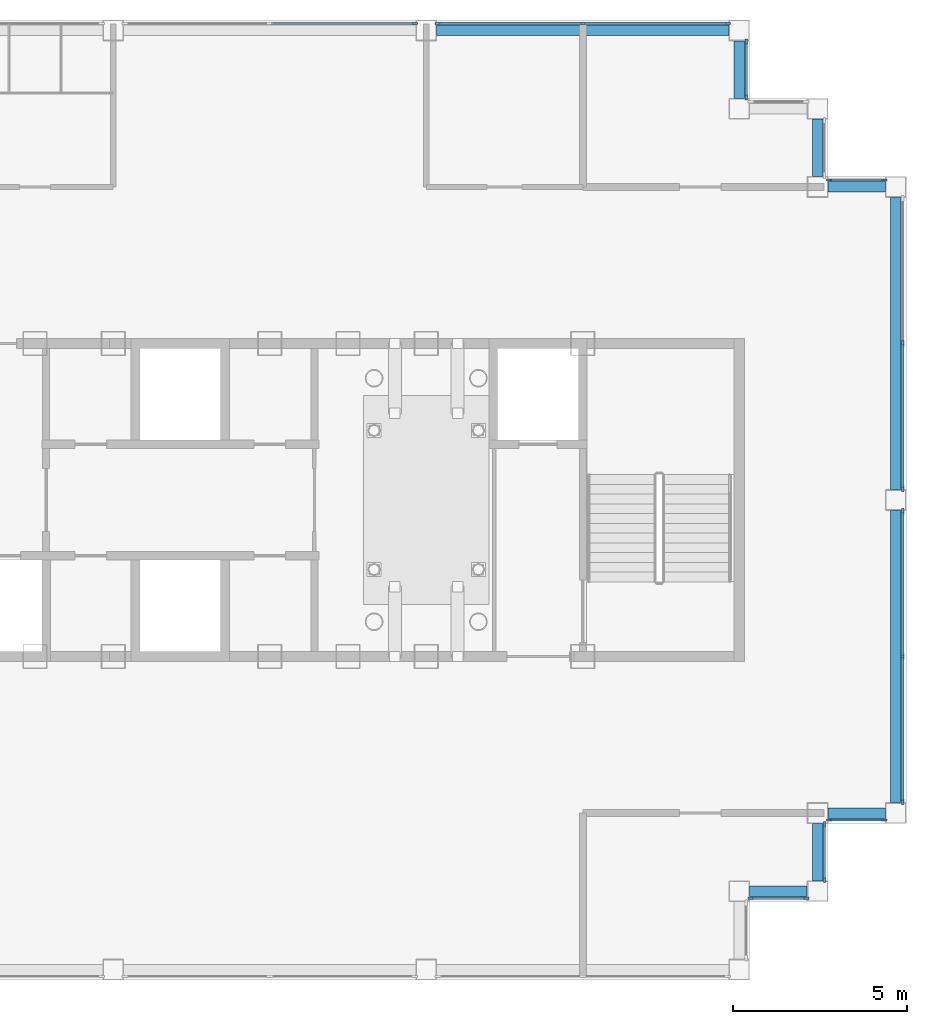
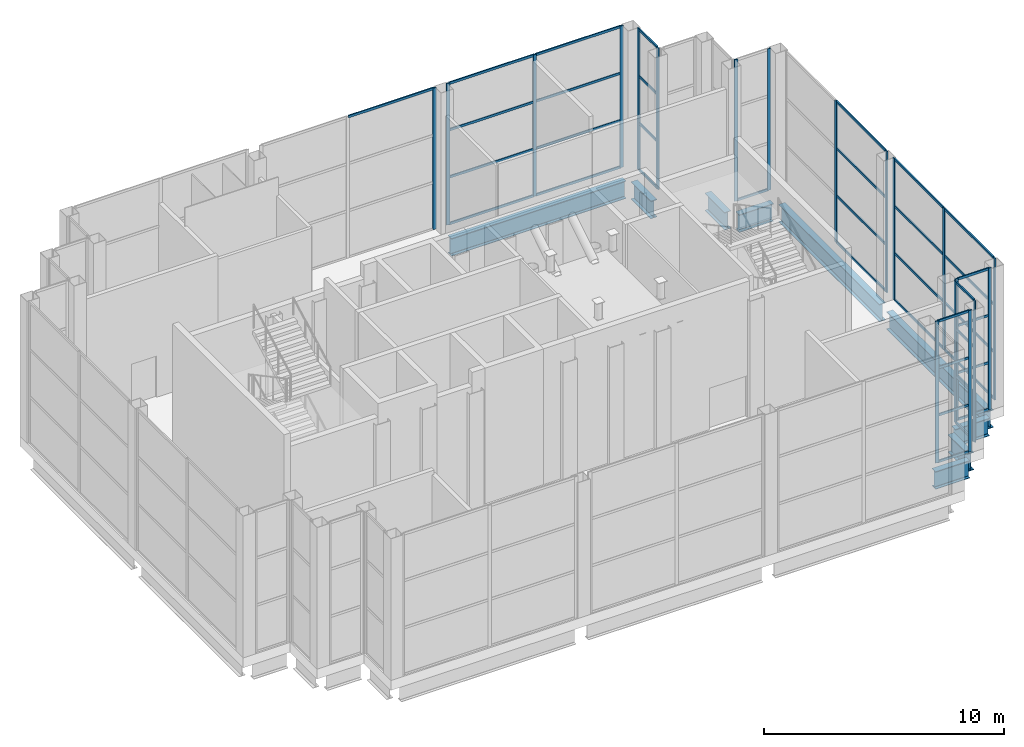
# One storey, part 5 of 15: 57 members, 9 beams, 9 elements without a shape of their own.
"""IFC4 building model written with IfcOpenShell, lengths in metres."""

from ifc_helpers import new_model, si_unit, direction, frame, origin, origin_2d, place, context, subcontext, project, spatial, rectangle, i_section, extrude, material, layer, layer_set, material_profile, profile_set, type_object, element, aggregate, save


model = new_model("IFC4")

# Units and contexts
model_context = context("Model", 3, precision=1e-05, world=origin(), true_north=direction((0.0, 1.0)))
body_context = subcontext(model_context, "Body", "Model", "MODEL_VIEW")
ifc_project = project(units=[si_unit("LENGTHUNIT", "METRE"), si_unit("AREAUNIT", "SQUARE_METRE"), si_unit("VOLUMEUNIT", "CUBIC_METRE"), si_unit("PLANEANGLEUNIT", "RADIAN"), si_unit("MASSUNIT", "GRAM", prefix="KILO")], contexts=[model_context])

# Site, building, storey
site_placement = place(None, origin())
site = spatial("IfcSite", under=ifc_project, at=site_placement, CompositionType="ELEMENT")
building_placement = place(site_placement, origin())
building = spatial("IfcBuilding", under=site, at=building_placement, Name="Caravel Reach Hotel and Residences", CompositionType="ELEMENT")
storey_placement = place(building_placement, frame((0.0, 0.0, 305.60009765625)))
storey = spatial("IfcBuildingStorey", under=building, at=storey_placement, Name="L78", CompositionType="ELEMENT", Elevation=305.60009765625)

# Curtain wall, members
ifc_material_1 = material(Name="Dark low-e glazing in black aluminium frame", Category="aluminium")
ifc_layer = layer(ifc_material_1, 0.199951171875)
ifc_layer_set = layer_set([ifc_layer], Name="CW3 Damper floor glass wall")
curtain_wall_type = type_object("IfcCurtainWallType", Name="CW3 Damper floor glass wall", PredefinedType="NOTDEFINED", material=ifc_layer_set)
curtain_wall_1_placement = place(storey_placement, origin())
curtain_wall_1 = element("IfcCurtainWall", 1, at=curtain_wall_1_placement, inside=storey, type_object=curtain_wall_type, Name="Damper floor glass wall b0", PredefinedType="NOTDEFINED")
ifc_material_2 = material(Name="Anodised aluminium alloy 6063-T5, black", Category="aluminium")
ifc_material_profile_1 = material_profile(ifc_material_2, rectangle(XDim=0.06005859375, YDim=0.159912109375, at=origin_2d()), Name="CW mullion 60 x 160")
ifc_profile_set_1 = profile_set([ifc_material_profile_1], Name="Anodised aluminium alloy 6063-T5, black")
member_type_1 = type_object("IfcMemberType", Name="CW mullion 60 x 160", PredefinedType="MULLION", material=ifc_profile_set_1)
member_1_placement = place(storey_placement, frame((45.330078125, 15.550048828125, 0.0), z_axis=(0.0, 0.0, 1.0), x_axis=(0.0, 1.0, 0.0)))
member_1 = element("IfcMember", 2, at=member_1_placement, type_object=member_type_1, Name="CW3 mullion 1", PredefinedType="MULLION", context=body_context, shape_type="SweptSolid", body=[
    extrude(rectangle(XDim=0.06005859375, YDim=0.159912109375, at=origin_2d()), origin(), (0.0, 0.0, 1.0), 7.199951171875),
])
member_2_placement = place(storey_placement, frame((46.919921875, 15.550048828125, 0.0), z_axis=(0.0, 0.0, 1.0), x_axis=(0.0, 1.0, 0.0)))
member_2 = element("IfcMember", 3, at=member_2_placement, type_object=member_type_1, Name="CW3 mullion 2", PredefinedType="MULLION", context=body_context, shape_type="SweptSolid", body=[
    extrude(rectangle(XDim=0.06005859375, YDim=0.159912109375, at=origin_2d()), origin(), (0.0, 0.0, 1.0), 7.199951171875),
])

curtain_wall_2_placement = place(storey_placement, origin())
curtain_wall_2 = element("IfcCurtainWall", 4, at=curtain_wall_2_placement, inside=storey, type_object=curtain_wall_type, Name="Damper floor glass wall b0", PredefinedType="NOTDEFINED")
member_3_placement = place(storey_placement, frame((47.449951171875, 16.080078125, 0.0), z_axis=(0.0, 0.0, 1.0), x_axis=(-1.0, 0.0, 0.0)))
member_3 = element("IfcMember", 5, at=member_3_placement, type_object=member_type_1, Name="CW3 mullion 1", PredefinedType="MULLION", context=body_context, shape_type="SweptSolid", body=[
    extrude(rectangle(XDim=0.06005859375, YDim=0.159912109375, at=origin_2d()), origin(), (0.0, 0.0, 1.0), 7.199951171875),
])
member_4_placement = place(storey_placement, frame((47.449951171875, 17.669921875, 0.0), z_axis=(0.0, 0.0, 1.0), x_axis=(-1.0, 0.0, 0.0)))
member_4 = element("IfcMember", 6, at=member_4_placement, type_object=member_type_1, Name="CW3 mullion 2", PredefinedType="MULLION", context=body_context, shape_type="SweptSolid", body=[
    extrude(rectangle(XDim=0.06005859375, YDim=0.159912109375, at=origin_2d()), origin(), (0.0, 0.0, 1.0), 7.199951171875),
])

curtain_wall_3_placement = place(storey_placement, origin())
curtain_wall_3 = element("IfcCurtainWall", 7, at=curtain_wall_3_placement, inside=storey, type_object=curtain_wall_type, Name="Damper floor glass wall b0", PredefinedType="NOTDEFINED")
member_5_placement = place(storey_placement, frame((47.580078125, 17.800048828125, 0.0), z_axis=(0.0, 0.0, 1.0), x_axis=(0.0, 1.0, 0.0)))
member_5 = element("IfcMember", 8, at=member_5_placement, type_object=member_type_1, Name="CW3 mullion 1", PredefinedType="MULLION", context=body_context, shape_type="SweptSolid", body=[
    extrude(rectangle(XDim=0.06005859375, YDim=0.159912109375, at=origin_2d()), origin(), (0.0, 0.0, 1.0), 7.199951171875),
])
member_6_placement = place(storey_placement, frame((49.169921875, 17.800048828125, 0.0), z_axis=(0.0, 0.0, 1.0), x_axis=(0.0, 1.0, 0.0)))
member_6 = element("IfcMember", 9, at=member_6_placement, type_object=member_type_1, Name="CW3 mullion 2", PredefinedType="MULLION", context=body_context, shape_type="SweptSolid", body=[
    extrude(rectangle(XDim=0.06005859375, YDim=0.159912109375, at=origin_2d()), origin(), (0.0, 0.0, 1.0), 7.199951171875),
])

curtain_wall_4_placement = place(storey_placement, origin())
curtain_wall_4 = element("IfcCurtainWall", 10, at=curtain_wall_4_placement, inside=storey, type_object=curtain_wall_type, Name="Damper floor glass wall b0", PredefinedType="NOTDEFINED")
member_7_placement = place(storey_placement, frame((49.699951171875, 18.330078125, 0.0), z_axis=(0.0, 0.0, 1.0), x_axis=(-1.0, 0.0, 0.0)))
member_7 = element("IfcMember", 11, at=member_7_placement, type_object=member_type_1, Name="CW3 mullion 1", PredefinedType="MULLION", context=body_context, shape_type="SweptSolid", body=[
    extrude(rectangle(XDim=0.06005859375, YDim=0.159912109375, at=origin_2d()), origin(), (0.0, 0.0, 1.0), 7.199951171875),
])
member_8_placement = place(storey_placement, frame((49.699951171875, 22.5, 0.0), z_axis=(0.0, 0.0, 1.0), x_axis=(-1.0, 0.0, 0.0)))
member_8 = element("IfcMember", 12, at=member_8_placement, type_object=member_type_1, Name="CW3 mullion 2", PredefinedType="MULLION", context=body_context, shape_type="SweptSolid", body=[
    extrude(rectangle(XDim=0.06005859375, YDim=0.159912109375, at=origin_2d()), origin(), (0.0, 0.0, 1.0), 7.199951171875),
])
member_9_placement = place(storey_placement, frame((49.699951171875, 26.669921875, 0.0), z_axis=(0.0, 0.0, 1.0), x_axis=(-1.0, 0.0, 0.0)))
member_9 = element("IfcMember", 13, at=member_9_placement, type_object=member_type_1, Name="CW3 mullion 3", PredefinedType="MULLION", context=body_context, shape_type="SweptSolid", body=[
    extrude(rectangle(XDim=0.06005859375, YDim=0.159912109375, at=origin_2d()), origin(), (0.0, 0.0, 1.0), 7.199951171875),
])

curtain_wall_5_placement = place(storey_placement, origin())
curtain_wall_5 = element("IfcCurtainWall", 14, at=curtain_wall_5_placement, inside=storey, type_object=curtain_wall_type, Name="Damper floor glass wall b1", PredefinedType="NOTDEFINED")
member_10_placement = place(storey_placement, frame((49.699951171875, 27.330078125, 0.0), z_axis=(0.0, 0.0, 1.0), x_axis=(-1.0, 0.0, 0.0)))
member_10 = element("IfcMember", 15, at=member_10_placement, type_object=member_type_1, Name="CW3 mullion 1", PredefinedType="MULLION", context=body_context, shape_type="SweptSolid", body=[
    extrude(rectangle(XDim=0.06005859375, YDim=0.159912109375, at=origin_2d()), origin(), (0.0, 0.0, 1.0), 7.199951171875),
])
member_11_placement = place(storey_placement, frame((49.699951171875, 31.5, 0.0), z_axis=(0.0, 0.0, 1.0), x_axis=(-1.0, 0.0, 0.0)))
member_11 = element("IfcMember", 16, at=member_11_placement, type_object=member_type_1, Name="CW3 mullion 2", PredefinedType="MULLION", context=body_context, shape_type="SweptSolid", body=[
    extrude(rectangle(XDim=0.06005859375, YDim=0.159912109375, at=origin_2d()), origin(), (0.0, 0.0, 1.0), 7.199951171875),
])

curtain_wall_6_placement = place(storey_placement, origin())
curtain_wall_6 = element("IfcCurtainWall", 17, at=curtain_wall_6_placement, inside=storey, type_object=curtain_wall_type, Name="Damper floor glass wall b0", PredefinedType="NOTDEFINED")
member_12_placement = place(storey_placement, frame((49.169921875, 36.199951171875, 0.0), z_axis=(0.0, 0.0, 1.0), x_axis=(0.0, -1.0, 0.0)))
member_12 = element("IfcMember", 18, at=member_12_placement, type_object=member_type_1, Name="CW3 mullion 1", PredefinedType="MULLION", context=body_context, shape_type="SweptSolid", body=[
    extrude(rectangle(XDim=0.06005859375, YDim=0.159912109375, at=origin_2d()), origin(), (0.0, 0.0, 1.0), 7.199951171875),
])
member_13_placement = place(storey_placement, frame((47.580078125, 36.199951171875, 0.0), z_axis=(0.0, 0.0, 1.0), x_axis=(0.0, -1.0, 0.0)))
member_13 = element("IfcMember", 19, at=member_13_placement, type_object=member_type_1, Name="CW3 mullion 2", PredefinedType="MULLION", context=body_context, shape_type="SweptSolid", body=[
    extrude(rectangle(XDim=0.06005859375, YDim=0.159912109375, at=origin_2d()), origin(), (0.0, 0.0, 1.0), 7.199951171875),
])

curtain_wall_7_placement = place(storey_placement, origin())
curtain_wall_7 = element("IfcCurtainWall", 20, at=curtain_wall_7_placement, inside=storey, type_object=curtain_wall_type, Name="Damper floor glass wall b0", PredefinedType="NOTDEFINED")
member_14_placement = place(storey_placement, frame((45.199951171875, 38.580078125, 0.0), z_axis=(0.0, 0.0, 1.0), x_axis=(-1.0, 0.0, 0.0)))
member_14 = element("IfcMember", 21, at=member_14_placement, type_object=member_type_1, Name="CW3 mullion 1", PredefinedType="MULLION", context=body_context, shape_type="SweptSolid", body=[
    extrude(rectangle(XDim=0.06005859375, YDim=0.159912109375, at=origin_2d()), origin(), (0.0, 0.0, 1.0), 7.199951171875),
])
member_15_placement = place(storey_placement, frame((45.199951171875, 40.169921875, 0.0), z_axis=(0.0, 0.0, 1.0), x_axis=(-1.0, 0.0, 0.0)))
member_15 = element("IfcMember", 22, at=member_15_placement, type_object=member_type_1, Name="CW3 mullion 2", PredefinedType="MULLION", context=body_context, shape_type="SweptSolid", body=[
    extrude(rectangle(XDim=0.06005859375, YDim=0.159912109375, at=origin_2d()), origin(), (0.0, 0.0, 1.0), 7.199951171875),
])

curtain_wall_8_placement = place(storey_placement, origin())
curtain_wall_8 = element("IfcCurtainWall", 23, at=curtain_wall_8_placement, inside=storey, type_object=curtain_wall_type, Name="Damper floor glass wall b0", PredefinedType="NOTDEFINED")
member_16_placement = place(storey_placement, frame((44.669921875, 40.699951171875, 0.0), z_axis=(0.0, 0.0, 1.0), x_axis=(0.0, -1.0, 0.0)))
member_16 = element("IfcMember", 24, at=member_16_placement, type_object=member_type_1, Name="CW3 mullion 1", PredefinedType="MULLION", context=body_context, shape_type="SweptSolid", body=[
    extrude(rectangle(XDim=0.06005859375, YDim=0.159912109375, at=origin_2d()), origin(), (0.0, 0.0, 1.0), 7.199951171875),
])
member_17_placement = place(storey_placement, frame((40.5, 40.699951171875, 0.0), z_axis=(0.0, 0.0, 1.0), x_axis=(0.0, -1.0, 0.0)))
member_17 = element("IfcMember", 25, at=member_17_placement, type_object=member_type_1, Name="CW3 mullion 2", PredefinedType="MULLION", context=body_context, shape_type="SweptSolid", body=[
    extrude(rectangle(XDim=0.06005859375, YDim=0.159912109375, at=origin_2d()), origin(), (0.0, 0.0, 1.0), 7.199951171875),
])
member_18_placement = place(storey_placement, frame((36.330078125, 40.699951171875, 0.0), z_axis=(0.0, 0.0, 1.0), x_axis=(0.0, -1.0, 0.0)))
member_18 = element("IfcMember", 26, at=member_18_placement, type_object=member_type_1, Name="CW3 mullion 3", PredefinedType="MULLION", context=body_context, shape_type="SweptSolid", body=[
    extrude(rectangle(XDim=0.06005859375, YDim=0.159912109375, at=origin_2d()), origin(), (0.0, 0.0, 1.0), 7.199951171875),
])

# Curtain wall, member
curtain_wall_9_placement = place(storey_placement, origin())
curtain_wall_9 = element("IfcCurtainWall", 27, at=curtain_wall_9_placement, inside=storey, type_object=curtain_wall_type, Name="Damper floor glass wall b1", PredefinedType="NOTDEFINED")
member_19_placement = place(storey_placement, frame((35.669921875, 40.699951171875, 0.0), z_axis=(0.0, 0.0, 1.0), x_axis=(0.0, -1.0, 0.0)))
member_19 = element("IfcMember", 28, at=member_19_placement, type_object=member_type_1, Name="CW3 mullion 1", PredefinedType="MULLION", context=body_context, shape_type="SweptSolid", body=[
    extrude(rectangle(XDim=0.06005859375, YDim=0.159912109375, at=origin_2d()), origin(), (0.0, 0.0, 1.0), 7.199951171875),
])

# Member
ifc_material_3 = material(Name="Anodised aluminium alloy 6063-T5, black", Category="aluminium")
ifc_material_profile_2 = material_profile(ifc_material_3, rectangle(XDim=0.06005859375, YDim=0.1201171875, at=origin_2d()), Name="CW transom 60 x 120")
ifc_profile_set_2 = profile_set([ifc_material_profile_2], Name="Anodised aluminium alloy 6063-T5, black")
member_type_2 = type_object("IfcMemberType", Name="CW transom 60 x 120", PredefinedType="USERDEFINED", material=ifc_profile_set_2)
member_20_placement = place(storey_placement, frame((45.360107421875, 15.550048828125, 0.02978515625), z_axis=(1.0, 0.0, 0.0), x_axis=(0.0, 1.0, 0.0)))
member_20 = element("IfcMember", 29, at=member_20_placement, type_object=member_type_2, Name="CW3 transom 1.1", ObjectType="TRANSOM", PredefinedType="USERDEFINED", context=body_context, shape_type="SweptSolid", body=[
    extrude(rectangle(XDim=0.06005859375, YDim=0.1201171875, at=origin_2d()), origin(), (0.0, 0.0, 1.0), 1.52978515625),
])

member_21_placement = place(storey_placement, frame((45.360107421875, 15.550048828125, 2.39990234375), z_axis=(1.0, 0.0, 0.0), x_axis=(0.0, 1.0, 0.0)))
member_21 = element("IfcMember", 30, at=member_21_placement, type_object=member_type_2, Name="CW3 transom 1.2", ObjectType="TRANSOM", PredefinedType="USERDEFINED", context=body_context, shape_type="SweptSolid", body=[
    extrude(rectangle(XDim=0.06005859375, YDim=0.1201171875, at=origin_2d()), origin(), (0.0, 0.0, 1.0), 1.52978515625),
])

member_22_placement = place(storey_placement, frame((45.360107421875, 15.550048828125, 4.7998046875), z_axis=(1.0, 0.0, 0.0), x_axis=(0.0, 1.0, 0.0)))
member_22 = element("IfcMember", 31, at=member_22_placement, type_object=member_type_2, Name="CW3 transom 1.3", ObjectType="TRANSOM", PredefinedType="USERDEFINED", context=body_context, shape_type="SweptSolid", body=[
    extrude(rectangle(XDim=0.06005859375, YDim=0.1201171875, at=origin_2d()), origin(), (0.0, 0.0, 1.0), 1.52978515625),
])

member_23_placement = place(storey_placement, frame((45.360107421875, 15.550048828125, 7.169921875), z_axis=(1.0, 0.0, 0.0), x_axis=(0.0, 1.0, 0.0)))
member_23 = element("IfcMember", 32, at=member_23_placement, type_object=member_type_2, Name="CW3 transom 1.4", ObjectType="TRANSOM", PredefinedType="USERDEFINED", context=body_context, shape_type="SweptSolid", body=[
    extrude(rectangle(XDim=0.06005859375, YDim=0.1201171875, at=origin_2d()), origin(), (0.0, 0.0, 1.0), 1.52978515625),
])

aggregate(curtain_wall_1, [member_1, member_2, member_20, member_21, member_22, member_23])

member_24_placement = place(storey_placement, frame((47.449951171875, 16.110107421875, 0.02978515625), z_axis=(0.0, 1.0, 0.0), x_axis=(-1.0, 0.0, 0.0)))
member_24 = element("IfcMember", 33, at=member_24_placement, type_object=member_type_2, Name="CW3 transom 1.1", ObjectType="TRANSOM", PredefinedType="USERDEFINED", context=body_context, shape_type="SweptSolid", body=[
    extrude(rectangle(XDim=0.06005859375, YDim=0.1201171875, at=origin_2d()), origin(), (0.0, 0.0, 1.0), 1.52978515625),
])

member_25_placement = place(storey_placement, frame((47.449951171875, 16.110107421875, 2.39990234375), z_axis=(0.0, 1.0, 0.0), x_axis=(-1.0, 0.0, 0.0)))
member_25 = element("IfcMember", 34, at=member_25_placement, type_object=member_type_2, Name="CW3 transom 1.2", ObjectType="TRANSOM", PredefinedType="USERDEFINED", context=body_context, shape_type="SweptSolid", body=[
    extrude(rectangle(XDim=0.06005859375, YDim=0.1201171875, at=origin_2d()), origin(), (0.0, 0.0, 1.0), 1.52978515625),
])

member_26_placement = place(storey_placement, frame((47.449951171875, 16.110107421875, 4.7998046875), z_axis=(0.0, 1.0, 0.0), x_axis=(-1.0, 0.0, 0.0)))
member_26 = element("IfcMember", 35, at=member_26_placement, type_object=member_type_2, Name="CW3 transom 1.3", ObjectType="TRANSOM", PredefinedType="USERDEFINED", context=body_context, shape_type="SweptSolid", body=[
    extrude(rectangle(XDim=0.06005859375, YDim=0.1201171875, at=origin_2d()), origin(), (0.0, 0.0, 1.0), 1.52978515625),
])

member_27_placement = place(storey_placement, frame((47.449951171875, 16.110107421875, 7.169921875), z_axis=(0.0, 1.0, 0.0), x_axis=(-1.0, 0.0, 0.0)))
member_27 = element("IfcMember", 36, at=member_27_placement, type_object=member_type_2, Name="CW3 transom 1.4", ObjectType="TRANSOM", PredefinedType="USERDEFINED", context=body_context, shape_type="SweptSolid", body=[
    extrude(rectangle(XDim=0.06005859375, YDim=0.1201171875, at=origin_2d()), origin(), (0.0, 0.0, 1.0), 1.52978515625),
])

aggregate(curtain_wall_2, [member_3, member_4, member_24, member_25, member_26, member_27])

member_28_placement = place(storey_placement, frame((47.610107421875, 17.800048828125, 0.02978515625), z_axis=(1.0, 0.0, 0.0), x_axis=(0.0, 1.0, 0.0)))
member_28 = element("IfcMember", 37, at=member_28_placement, type_object=member_type_2, Name="CW3 transom 1.1", ObjectType="TRANSOM", PredefinedType="USERDEFINED", context=body_context, shape_type="SweptSolid", body=[
    extrude(rectangle(XDim=0.06005859375, YDim=0.1201171875, at=origin_2d()), origin(), (0.0, 0.0, 1.0), 1.52978515625),
])

member_29_placement = place(storey_placement, frame((47.610107421875, 17.800048828125, 2.39990234375), z_axis=(1.0, 0.0, 0.0), x_axis=(0.0, 1.0, 0.0)))
member_29 = element("IfcMember", 38, at=member_29_placement, type_object=member_type_2, Name="CW3 transom 1.2", ObjectType="TRANSOM", PredefinedType="USERDEFINED", context=body_context, shape_type="SweptSolid", body=[
    extrude(rectangle(XDim=0.06005859375, YDim=0.1201171875, at=origin_2d()), origin(), (0.0, 0.0, 1.0), 1.52978515625),
])

member_30_placement = place(storey_placement, frame((47.610107421875, 17.800048828125, 4.7998046875), z_axis=(1.0, 0.0, 0.0), x_axis=(0.0, 1.0, 0.0)))
member_30 = element("IfcMember", 39, at=member_30_placement, type_object=member_type_2, Name="CW3 transom 1.3", ObjectType="TRANSOM", PredefinedType="USERDEFINED", context=body_context, shape_type="SweptSolid", body=[
    extrude(rectangle(XDim=0.06005859375, YDim=0.1201171875, at=origin_2d()), origin(), (0.0, 0.0, 1.0), 1.52978515625),
])

member_31_placement = place(storey_placement, frame((47.610107421875, 17.800048828125, 7.169921875), z_axis=(1.0, 0.0, 0.0), x_axis=(0.0, 1.0, 0.0)))
member_31 = element("IfcMember", 40, at=member_31_placement, type_object=member_type_2, Name="CW3 transom 1.4", ObjectType="TRANSOM", PredefinedType="USERDEFINED", context=body_context, shape_type="SweptSolid", body=[
    extrude(rectangle(XDim=0.06005859375, YDim=0.1201171875, at=origin_2d()), origin(), (0.0, 0.0, 1.0), 1.52978515625),
])

aggregate(curtain_wall_3, [member_5, member_6, member_28, member_29, member_30, member_31])

member_32_placement = place(storey_placement, frame((49.699951171875, 18.360107421875, 0.02978515625), z_axis=(0.0, 1.0, 0.0), x_axis=(-1.0, 0.0, 0.0)))
member_32 = element("IfcMember", 41, at=member_32_placement, type_object=member_type_2, Name="CW3 transom 1.1", ObjectType="TRANSOM", PredefinedType="USERDEFINED", context=body_context, shape_type="SweptSolid", body=[
    extrude(rectangle(XDim=0.06005859375, YDim=0.1201171875, at=origin_2d()), origin(), (0.0, 0.0, 1.0), 4.10986328125),
])

member_33_placement = place(storey_placement, frame((49.699951171875, 18.360107421875, 2.39990234375), z_axis=(0.0, 1.0, 0.0), x_axis=(-1.0, 0.0, 0.0)))
member_33 = element("IfcMember", 42, at=member_33_placement, type_object=member_type_2, Name="CW3 transom 1.2", ObjectType="TRANSOM", PredefinedType="USERDEFINED", context=body_context, shape_type="SweptSolid", body=[
    extrude(rectangle(XDim=0.06005859375, YDim=0.1201171875, at=origin_2d()), origin(), (0.0, 0.0, 1.0), 4.10986328125),
])

member_34_placement = place(storey_placement, frame((49.699951171875, 18.360107421875, 4.7998046875), z_axis=(0.0, 1.0, 0.0), x_axis=(-1.0, 0.0, 0.0)))
member_34 = element("IfcMember", 43, at=member_34_placement, type_object=member_type_2, Name="CW3 transom 1.3", ObjectType="TRANSOM", PredefinedType="USERDEFINED", context=body_context, shape_type="SweptSolid", body=[
    extrude(rectangle(XDim=0.06005859375, YDim=0.1201171875, at=origin_2d()), origin(), (0.0, 0.0, 1.0), 4.10986328125),
])

member_35_placement = place(storey_placement, frame((49.699951171875, 18.360107421875, 7.169921875), z_axis=(0.0, 1.0, 0.0), x_axis=(-1.0, 0.0, 0.0)))
member_35 = element("IfcMember", 44, at=member_35_placement, type_object=member_type_2, Name="CW3 transom 1.4", ObjectType="TRANSOM", PredefinedType="USERDEFINED", context=body_context, shape_type="SweptSolid", body=[
    extrude(rectangle(XDim=0.06005859375, YDim=0.1201171875, at=origin_2d()), origin(), (0.0, 0.0, 1.0), 4.10986328125),
])

member_36_placement = place(storey_placement, frame((49.699951171875, 22.530029296875, 0.02978515625), z_axis=(0.0, 1.0, 0.0), x_axis=(-1.0, 0.0, 0.0)))
member_36 = element("IfcMember", 45, at=member_36_placement, type_object=member_type_2, Name="CW3 transom 2.1", ObjectType="TRANSOM", PredefinedType="USERDEFINED", context=body_context, shape_type="SweptSolid", body=[
    extrude(rectangle(XDim=0.06005859375, YDim=0.1201171875, at=origin_2d()), origin(), (0.0, 0.0, 1.0), 4.10986328125),
])

member_37_placement = place(storey_placement, frame((49.699951171875, 22.530029296875, 2.39990234375), z_axis=(0.0, 1.0, 0.0), x_axis=(-1.0, 0.0, 0.0)))
member_37 = element("IfcMember", 46, at=member_37_placement, type_object=member_type_2, Name="CW3 transom 2.2", ObjectType="TRANSOM", PredefinedType="USERDEFINED", context=body_context, shape_type="SweptSolid", body=[
    extrude(rectangle(XDim=0.06005859375, YDim=0.1201171875, at=origin_2d()), origin(), (0.0, 0.0, 1.0), 4.10986328125),
])

member_38_placement = place(storey_placement, frame((49.699951171875, 22.530029296875, 4.7998046875), z_axis=(0.0, 1.0, 0.0), x_axis=(-1.0, 0.0, 0.0)))
member_38 = element("IfcMember", 47, at=member_38_placement, type_object=member_type_2, Name="CW3 transom 2.3", ObjectType="TRANSOM", PredefinedType="USERDEFINED", context=body_context, shape_type="SweptSolid", body=[
    extrude(rectangle(XDim=0.06005859375, YDim=0.1201171875, at=origin_2d()), origin(), (0.0, 0.0, 1.0), 4.10986328125),
])

member_39_placement = place(storey_placement, frame((49.699951171875, 22.530029296875, 7.169921875), z_axis=(0.0, 1.0, 0.0), x_axis=(-1.0, 0.0, 0.0)))
member_39 = element("IfcMember", 48, at=member_39_placement, type_object=member_type_2, Name="CW3 transom 2.4", ObjectType="TRANSOM", PredefinedType="USERDEFINED", context=body_context, shape_type="SweptSolid", body=[
    extrude(rectangle(XDim=0.06005859375, YDim=0.1201171875, at=origin_2d()), origin(), (0.0, 0.0, 1.0), 4.10986328125),
])

aggregate(curtain_wall_4, [member_7, member_8, member_9, member_32, member_33, member_34, member_35, member_36, member_37, member_38, member_39])

member_40_placement = place(storey_placement, frame((49.699951171875, 27.360107421875, 0.02978515625), z_axis=(0.0, 1.0, 0.0), x_axis=(-1.0, 0.0, 0.0)))
member_40 = element("IfcMember", 49, at=member_40_placement, type_object=member_type_2, Name="CW3 transom 1.1", ObjectType="TRANSOM", PredefinedType="USERDEFINED", context=body_context, shape_type="SweptSolid", body=[
    extrude(rectangle(XDim=0.06005859375, YDim=0.1201171875, at=origin_2d()), origin(), (0.0, 0.0, 1.0), 4.10986328125),
])

member_41_placement = place(storey_placement, frame((49.699951171875, 27.360107421875, 2.39990234375), z_axis=(0.0, 1.0, 0.0), x_axis=(-1.0, 0.0, 0.0)))
member_41 = element("IfcMember", 50, at=member_41_placement, type_object=member_type_2, Name="CW3 transom 1.2", ObjectType="TRANSOM", PredefinedType="USERDEFINED", context=body_context, shape_type="SweptSolid", body=[
    extrude(rectangle(XDim=0.06005859375, YDim=0.1201171875, at=origin_2d()), origin(), (0.0, 0.0, 1.0), 4.10986328125),
])

member_42_placement = place(storey_placement, frame((49.699951171875, 27.360107421875, 4.7998046875), z_axis=(0.0, 1.0, 0.0), x_axis=(-1.0, 0.0, 0.0)))
member_42 = element("IfcMember", 51, at=member_42_placement, type_object=member_type_2, Name="CW3 transom 1.3", ObjectType="TRANSOM", PredefinedType="USERDEFINED", context=body_context, shape_type="SweptSolid", body=[
    extrude(rectangle(XDim=0.06005859375, YDim=0.1201171875, at=origin_2d()), origin(), (0.0, 0.0, 1.0), 4.10986328125),
])

member_43_placement = place(storey_placement, frame((49.699951171875, 27.360107421875, 7.169921875), z_axis=(0.0, 1.0, 0.0), x_axis=(-1.0, 0.0, 0.0)))
member_43 = element("IfcMember", 52, at=member_43_placement, type_object=member_type_2, Name="CW3 transom 1.4", ObjectType="TRANSOM", PredefinedType="USERDEFINED", context=body_context, shape_type="SweptSolid", body=[
    extrude(rectangle(XDim=0.06005859375, YDim=0.1201171875, at=origin_2d()), origin(), (0.0, 0.0, 1.0), 4.10986328125),
])

aggregate(curtain_wall_5, [member_10, member_11, member_40, member_41, member_42, member_43])

member_44_placement = place(storey_placement, frame((49.139892578125, 36.199951171875, 0.02978515625), z_axis=(-1.0, 0.0, 0.0), x_axis=(0.0, -1.0, 0.0)))
member_44 = element("IfcMember", 53, at=member_44_placement, type_object=member_type_2, Name="CW3 transom 1.1", ObjectType="TRANSOM", PredefinedType="USERDEFINED", context=body_context, shape_type="SweptSolid", body=[
    extrude(rectangle(XDim=0.06005859375, YDim=0.1201171875, at=origin_2d()), origin(), (0.0, 0.0, 1.0), 1.52978515625),
])

aggregate(curtain_wall_6, [member_12, member_13, member_44])

member_45_placement = place(storey_placement, frame((45.199951171875, 38.610107421875, 0.02978515625), z_axis=(0.0, 1.0, 0.0), x_axis=(-1.0, 0.0, 0.0)))
member_45 = element("IfcMember", 54, at=member_45_placement, type_object=member_type_2, Name="CW3 transom 1.1", ObjectType="TRANSOM", PredefinedType="USERDEFINED", context=body_context, shape_type="SweptSolid", body=[
    extrude(rectangle(XDim=0.06005859375, YDim=0.1201171875, at=origin_2d()), origin(), (0.0, 0.0, 1.0), 1.52978515625),
])

member_46_placement = place(storey_placement, frame((45.199951171875, 38.610107421875, 2.39990234375), z_axis=(0.0, 1.0, 0.0), x_axis=(-1.0, 0.0, 0.0)))
member_46 = element("IfcMember", 55, at=member_46_placement, type_object=member_type_2, Name="CW3 transom 1.2", ObjectType="TRANSOM", PredefinedType="USERDEFINED", context=body_context, shape_type="SweptSolid", body=[
    extrude(rectangle(XDim=0.06005859375, YDim=0.1201171875, at=origin_2d()), origin(), (0.0, 0.0, 1.0), 1.52978515625),
])

member_47_placement = place(storey_placement, frame((45.199951171875, 38.610107421875, 4.7998046875), z_axis=(0.0, 1.0, 0.0), x_axis=(-1.0, 0.0, 0.0)))
member_47 = element("IfcMember", 56, at=member_47_placement, type_object=member_type_2, Name="CW3 transom 1.3", ObjectType="TRANSOM", PredefinedType="USERDEFINED", context=body_context, shape_type="SweptSolid", body=[
    extrude(rectangle(XDim=0.06005859375, YDim=0.1201171875, at=origin_2d()), origin(), (0.0, 0.0, 1.0), 1.52978515625),
])

member_48_placement = place(storey_placement, frame((45.199951171875, 38.610107421875, 7.169921875), z_axis=(0.0, 1.0, 0.0), x_axis=(-1.0, 0.0, 0.0)))
member_48 = element("IfcMember", 57, at=member_48_placement, type_object=member_type_2, Name="CW3 transom 1.4", ObjectType="TRANSOM", PredefinedType="USERDEFINED", context=body_context, shape_type="SweptSolid", body=[
    extrude(rectangle(XDim=0.06005859375, YDim=0.1201171875, at=origin_2d()), origin(), (0.0, 0.0, 1.0), 1.52978515625),
])

aggregate(curtain_wall_7, [member_14, member_15, member_45, member_46, member_47, member_48])

member_49_placement = place(storey_placement, frame((44.639892578125, 40.699951171875, 0.02978515625), z_axis=(-1.0, 0.0, 0.0), x_axis=(0.0, -1.0, 0.0)))
member_49 = element("IfcMember", 58, at=member_49_placement, type_object=member_type_2, Name="CW3 transom 1.1", ObjectType="TRANSOM", PredefinedType="USERDEFINED", context=body_context, shape_type="SweptSolid", body=[
    extrude(rectangle(XDim=0.06005859375, YDim=0.1201171875, at=origin_2d()), origin(), (0.0, 0.0, 1.0), 4.10986328125),
])

member_50_placement = place(storey_placement, frame((44.639892578125, 40.699951171875, 2.39990234375), z_axis=(-1.0, 0.0, 0.0), x_axis=(0.0, -1.0, 0.0)))
member_50 = element("IfcMember", 59, at=member_50_placement, type_object=member_type_2, Name="CW3 transom 1.2", ObjectType="TRANSOM", PredefinedType="USERDEFINED", context=body_context, shape_type="SweptSolid", body=[
    extrude(rectangle(XDim=0.06005859375, YDim=0.1201171875, at=origin_2d()), origin(), (0.0, 0.0, 1.0), 4.10986328125),
])

member_51_placement = place(storey_placement, frame((44.639892578125, 40.699951171875, 4.7998046875), z_axis=(-1.0, 0.0, 0.0), x_axis=(0.0, -1.0, 0.0)))
member_51 = element("IfcMember", 60, at=member_51_placement, type_object=member_type_2, Name="CW3 transom 1.3", ObjectType="TRANSOM", PredefinedType="USERDEFINED", context=body_context, shape_type="SweptSolid", body=[
    extrude(rectangle(XDim=0.06005859375, YDim=0.1201171875, at=origin_2d()), origin(), (0.0, 0.0, 1.0), 4.10986328125),
])

member_52_placement = place(storey_placement, frame((44.639892578125, 40.699951171875, 7.169921875), z_axis=(-1.0, 0.0, 0.0), x_axis=(0.0, -1.0, 0.0)))
member_52 = element("IfcMember", 61, at=member_52_placement, type_object=member_type_2, Name="CW3 transom 1.4", ObjectType="TRANSOM", PredefinedType="USERDEFINED", context=body_context, shape_type="SweptSolid", body=[
    extrude(rectangle(XDim=0.06005859375, YDim=0.1201171875, at=origin_2d()), origin(), (0.0, 0.0, 1.0), 4.10986328125),
])

member_53_placement = place(storey_placement, frame((40.469970703125, 40.699951171875, 0.02978515625), z_axis=(-1.0, 0.0, 0.0), x_axis=(0.0, -1.0, 0.0)))
member_53 = element("IfcMember", 62, at=member_53_placement, type_object=member_type_2, Name="CW3 transom 2.1", ObjectType="TRANSOM", PredefinedType="USERDEFINED", context=body_context, shape_type="SweptSolid", body=[
    extrude(rectangle(XDim=0.06005859375, YDim=0.1201171875, at=origin_2d()), origin(), (0.0, 0.0, 1.0), 4.10986328125),
])

member_54_placement = place(storey_placement, frame((40.469970703125, 40.699951171875, 2.39990234375), z_axis=(-1.0, 0.0, 0.0), x_axis=(0.0, -1.0, 0.0)))
member_54 = element("IfcMember", 63, at=member_54_placement, type_object=member_type_2, Name="CW3 transom 2.2", ObjectType="TRANSOM", PredefinedType="USERDEFINED", context=body_context, shape_type="SweptSolid", body=[
    extrude(rectangle(XDim=0.06005859375, YDim=0.1201171875, at=origin_2d()), origin(), (0.0, 0.0, 1.0), 4.10986328125),
])

member_55_placement = place(storey_placement, frame((40.469970703125, 40.699951171875, 4.7998046875), z_axis=(-1.0, 0.0, 0.0), x_axis=(0.0, -1.0, 0.0)))
member_55 = element("IfcMember", 64, at=member_55_placement, type_object=member_type_2, Name="CW3 transom 2.3", ObjectType="TRANSOM", PredefinedType="USERDEFINED", context=body_context, shape_type="SweptSolid", body=[
    extrude(rectangle(XDim=0.06005859375, YDim=0.1201171875, at=origin_2d()), origin(), (0.0, 0.0, 1.0), 4.10986328125),
])

member_56_placement = place(storey_placement, frame((40.469970703125, 40.699951171875, 7.169921875), z_axis=(-1.0, 0.0, 0.0), x_axis=(0.0, -1.0, 0.0)))
member_56 = element("IfcMember", 65, at=member_56_placement, type_object=member_type_2, Name="CW3 transom 2.4", ObjectType="TRANSOM", PredefinedType="USERDEFINED", context=body_context, shape_type="SweptSolid", body=[
    extrude(rectangle(XDim=0.06005859375, YDim=0.1201171875, at=origin_2d()), origin(), (0.0, 0.0, 1.0), 4.10986328125),
])

aggregate(curtain_wall_8, [member_16, member_17, member_18, member_49, member_50, member_51, member_52, member_53, member_54, member_55, member_56])

member_57_placement = place(storey_placement, frame((35.639892578125, 40.699951171875, 7.169921875), z_axis=(-1.0, 0.0, 0.0), x_axis=(0.0, -1.0, 0.0)))
member_57 = element("IfcMember", 66, at=member_57_placement, type_object=member_type_2, Name="CW3 transom 1.4", ObjectType="TRANSOM", PredefinedType="USERDEFINED", context=body_context, shape_type="SweptSolid", body=[
    extrude(rectangle(XDim=0.06005859375, YDim=0.1201171875, at=origin_2d()), origin(), (0.0, 0.0, 1.0), 4.10986328125),
])

aggregate(curtain_wall_9, [member_19, member_57])

# Beams
ifc_material_4 = material(Name="Structural steel Q355B", Category="steel")
ifc_material_profile_3 = material_profile(ifc_material_4, i_section(OverallWidth=0.300048828125, OverallDepth=0.89990234375, WebThickness=0.01611328125, FlangeThickness=0.028076171875, FilletRadius=0.01806640625, at=origin_2d()), Name="HN 900x300x16x28")
ifc_profile_set_3 = profile_set([ifc_material_profile_3], Name="Structural steel Q355B")
beam_type = type_object("IfcBeamType", Name="Spandrel beam HN 900x300x16x28", PredefinedType="SPANDREL", material=ifc_profile_set_3)
for number, where, z_axis, x_axis, name in (
    (67, (45.300048828125, 15.75, -0.9501953125), (1.0, 0.0, 0.0), (0.0, 1.0, 0.0), "SP3 HN 900x300x16x28"),
    (68, (47.25, 16.050048828125, -0.9501953125), (0.0, 1.0, 0.0), (-1.0, 0.0, 0.0), "SP3 HN 900x300x16x28"),
    (69, (47.550048828125, 18.0, -0.9501953125), (1.0, 0.0, 0.0), (0.0, 1.0, 0.0), "SP3 HN 900x300x16x28"),
):
    element("IfcBeam", number, at=place(storey_placement, frame(where, z_axis=z_axis, x_axis=x_axis)), inside=storey, type_object=beam_type, Name=name, PredefinedType="SPANDREL", context=body_context, shape_type="SweptSolid", body=[
        extrude(i_section(OverallWidth=0.300048828125, OverallDepth=0.89990234375, WebThickness=0.01611328125, FlangeThickness=0.028076171875, FilletRadius=0.01806640625, at=origin_2d()), origin(), (0.0, 0.0, 1.0), 1.64990234375),
    ])
for number, where, z_axis, x_axis, name in (
    (70, (49.5, 18.300048828125, -0.9501953125), (0.0, 1.0, 0.0), (-1.0, 0.0, 0.0), "SP3 HN 900x300x16x28"),
    (71, (49.5, 27.300048828125, -0.9501953125), (0.0, 1.0, 0.0), (-1.0, 0.0, 0.0), "SP3 HN 900x300x16x28"),
):
    element("IfcBeam", number, at=place(storey_placement, frame(where, z_axis=z_axis, x_axis=x_axis)), inside=storey, type_object=beam_type, Name=name, PredefinedType="SPANDREL", context=body_context, shape_type="SweptSolid", body=[
        extrude(i_section(OverallWidth=0.300048828125, OverallDepth=0.89990234375, WebThickness=0.01611328125, FlangeThickness=0.028076171875, FilletRadius=0.01806640625, at=origin_2d()), origin(), (0.0, 0.0, 1.0), 8.39990234375),
    ])
for number, where, z_axis, x_axis, name in (
    (72, (49.199951171875, 36.0, -0.9501953125), (-1.0, 0.0, 0.0), (0.0, -1.0, 0.0), "SP3 HN 900x300x16x28"),
    (73, (47.25, 36.300048828125, -0.9501953125), (0.0, 1.0, 0.0), (-1.0, 0.0, 0.0), "SP3 HN 900x300x16x28"),
    (74, (45.0, 38.550048828125, -0.9501953125), (0.0, 1.0, 0.0), (-1.0, 0.0, 0.0), "SP3 HN 900x300x16x28"),
):
    element("IfcBeam", number, at=place(storey_placement, frame(where, z_axis=z_axis, x_axis=x_axis)), inside=storey, type_object=beam_type, Name=name, PredefinedType="SPANDREL", context=body_context, shape_type="SweptSolid", body=[
        extrude(i_section(OverallWidth=0.300048828125, OverallDepth=0.89990234375, WebThickness=0.01611328125, FlangeThickness=0.028076171875, FilletRadius=0.01806640625, at=origin_2d()), origin(), (0.0, 0.0, 1.0), 1.64990234375),
    ])
beam_placement = place(storey_placement, frame((44.699951171875, 40.5, -0.9501953125), z_axis=(-1.0, 0.0, 0.0), x_axis=(0.0, -1.0, 0.0)))
element("IfcBeam", 75, at=beam_placement, inside=storey, type_object=beam_type, Name="SP3 HN 900x300x16x28", PredefinedType="SPANDREL", context=body_context, shape_type="SweptSolid", body=[
    extrude(i_section(OverallWidth=0.300048828125, OverallDepth=0.89990234375, WebThickness=0.01611328125, FlangeThickness=0.028076171875, FilletRadius=0.01806640625, at=origin_2d()), origin(), (0.0, 0.0, 1.0), 8.39990234375),
])

save(model, "model.ifc")
